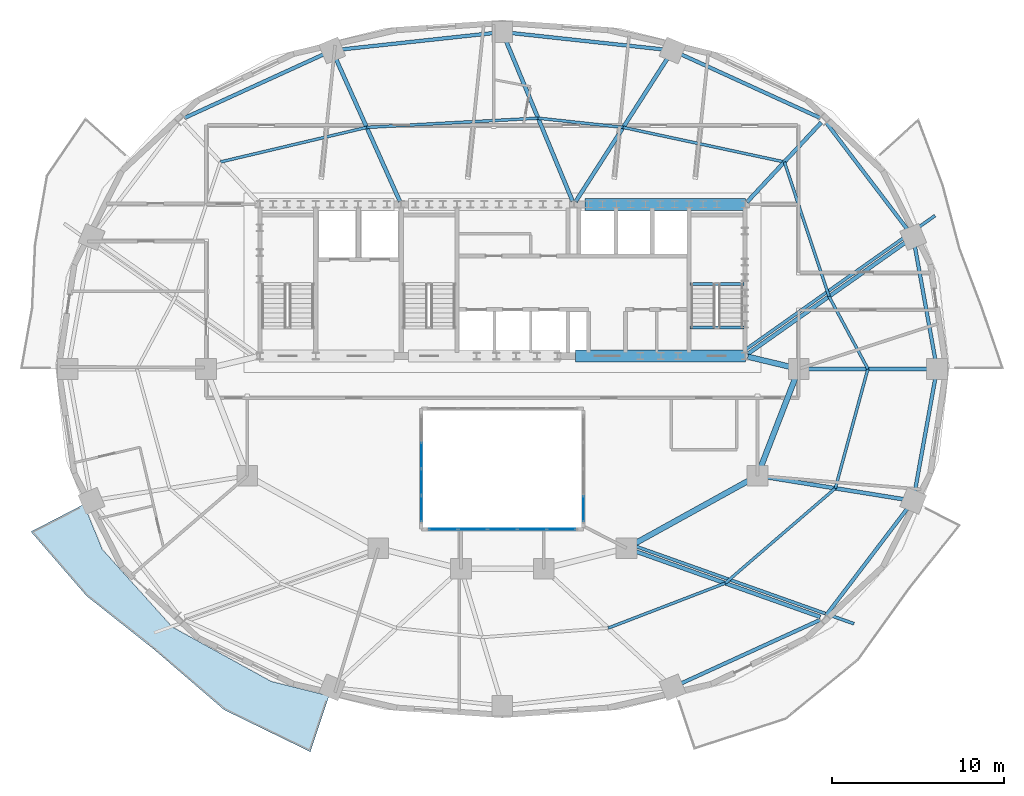
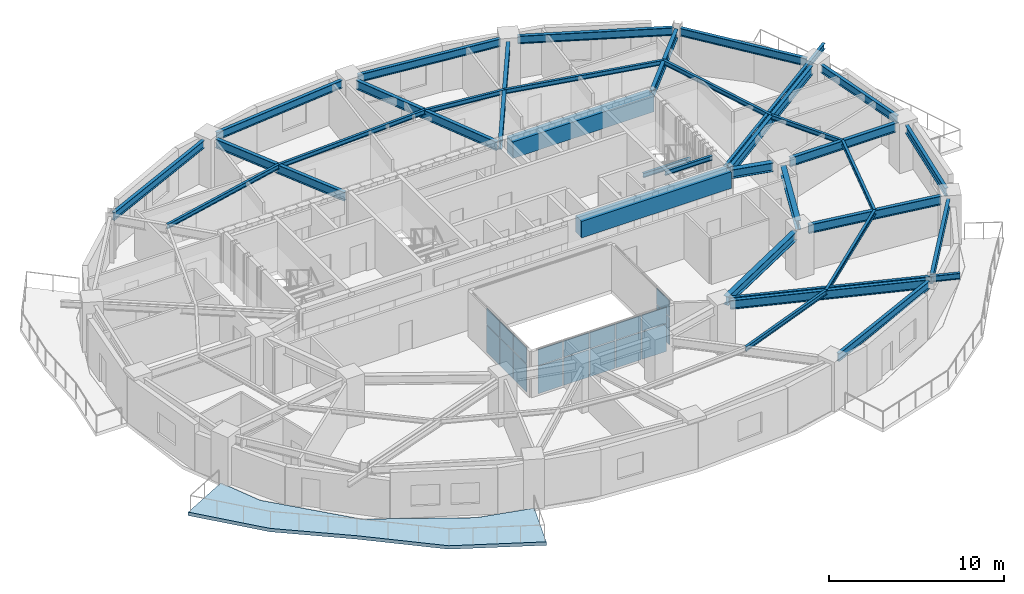
# One storey, part 4 of 13: 35 beams, 18 plates, 1 slab, 3 elements without a shape of their own.
"""IFC4 building model written with IfcOpenShell, lengths in metres."""

from ifc_helpers import new_model, si_unit, direction, frame, origin, origin_2d, place, context, subcontext, project, spatial, polyline, rectangle, i_section, outline, extrude, material, layer, layer_set, material_profile, profile_set, type_object, element, aggregate, save


model = new_model("IFC4")

# Units and contexts
model_context = context("Model", 3, precision=1e-05, world=origin(), true_north=direction((0.0, 1.0)))
body_context = subcontext(model_context, "Body", "Model", "MODEL_VIEW")
ifc_project = project(units=[si_unit("LENGTHUNIT", "METRE"), si_unit("AREAUNIT", "SQUARE_METRE"), si_unit("VOLUMEUNIT", "CUBIC_METRE"), si_unit("PLANEANGLEUNIT", "RADIAN"), si_unit("MASSUNIT", "GRAM", prefix="KILO")], contexts=[model_context])

# Site, building, storey
site_placement = place(None, origin())
site = spatial("IfcSite", under=ifc_project, at=site_placement, CompositionType="ELEMENT")
building_placement = place(site_placement, origin())
building = spatial("IfcBuilding", under=site, at=building_placement, Name="Haldorwick Loom Tower", CompositionType="ELEMENT")
storey_placement = place(building_placement, frame((0.0, 0.0, 175.14990234375)))
storey = spatial("IfcBuildingStorey", under=building, at=storey_placement, Name="L47", CompositionType="ELEMENT", Elevation=175.14990234375)

# Beams
ifc_material_1 = material(Name="Steel CSA G40.21 350W", Category="steel")
ifc_material_profile_1 = material_profile(ifc_material_1, i_section(OverallWidth=0.179931640625, OverallDepth=0.4130859375, WebThickness=0.009765625, FlangeThickness=0.01611328125, at=origin_2d()), Name="W410X74", Category="steel")
ifc_profile_set_1 = profile_set([ifc_material_profile_1], Name="Steel CSA G40.21 350W")
beam_type_1 = type_object("IfcBeamType", Name="STR-BM-BAL410", PredefinedType="BEAM", material=ifc_profile_set_1)
beam_1_placement = place(storey_placement, frame((43.78369140625, 15.68994140625, 3.003662109375), z_axis=(0.942447955832, -0.334352883266, 0.0), x_axis=(0.334352883266, 0.942447955832, 0.0)))
element("IfcBeam", 1, at=beam_1_placement, inside=storey, type_object=beam_type_1, Name="L47 Continuous Back-Spanned Balcony Beam 1", PredefinedType="BEAM", context=body_context, shape_type="SweptSolid", body=[
    extrude(i_section(OverallWidth=0.179931640625, OverallDepth=0.4130859375, WebThickness=0.009765625, FlangeThickness=0.01611328125, at=origin_2d()), origin(), (0.0, 0.0, 1.0), 13.385009765625),
])
beam_2_placement = place(storey_placement, frame((50.0537109375, 27.081298828125, 3.003662109375), z_axis=(0.816570167076, 0.57724618859, 0.0), x_axis=(-0.57724618859, 0.816570167076, 0.0)))
element("IfcBeam", 2, at=beam_2_placement, inside=storey, type_object=beam_type_1, Name="L47 Continuous Back-Spanned Balcony Beam 4", PredefinedType="BEAM", context=body_context, shape_type="SweptSolid", body=[
    extrude(i_section(OverallWidth=0.179931640625, OverallDepth=0.4130859375, WebThickness=0.009765625, FlangeThickness=0.01611328125, at=origin_2d()), origin(), (0.0, 0.0, 1.0), 13.531982421875),
])
ifc_material_2 = material(Name="Concrete C60 (60 MPa)", Category="concrete")
ifc_material_profile_2 = material_profile(ifc_material_2, rectangle(XDim=0.699951171875, YDim=1.14990234375, at=origin_2d()), Name="RC700X1150", Category="concrete")
ifc_profile_set_2 = profile_set([ifc_material_profile_2], Name="Concrete C60 (60 MPa)")
beam_type_2 = type_object("IfcBeamType", Name="STR-BM-CB1150", PredefinedType="LINTEL", material=ifc_profile_set_2)
beam_3_placement = place(storey_placement, frame((40.800048828125, 35.550048828125, 2.635009765625), z_axis=(1.0, 0.0, 0.0), x_axis=(0.0, 1.0, 0.0)))
element("IfcBeam", 3, at=beam_3_placement, inside=storey, type_object=beam_type_2, Name="L47 Core Coupling Beam CB-N3", PredefinedType="LINTEL", context=body_context, shape_type="SweptSolid", body=[
    extrude(rectangle(XDim=0.699951171875, YDim=1.14990234375, at=origin_2d()), origin(), (0.0, 0.0, 1.0), 9.300048828125),
])
beam_4_placement = place(storey_placement, frame((40.25, 26.75, 2.635009765625), z_axis=(1.0, 0.0, 0.0), x_axis=(0.0, 1.0, 0.0)))
element("IfcBeam", 4, at=beam_4_placement, inside=storey, type_object=beam_type_2, Name="L47 Core Coupling Beam CB-S3", PredefinedType="LINTEL", context=body_context, shape_type="SweptSolid", body=[
    extrude(rectangle(XDim=0.699951171875, YDim=1.14990234375, at=origin_2d()), origin(), (0.0, 0.0, 1.0), 9.85009765625),
])
ifc_material_profile_3 = material_profile(ifc_material_1, i_section(OverallWidth=0.166015625, OverallDepth=0.31298828125, WebThickness=0.006591796875, FlangeThickness=0.01123046875, at=origin_2d()), Name="W310X45", Category="steel")
ifc_profile_set_3 = profile_set([ifc_material_profile_3], Name="Steel CSA G40.21 350W")
beam_type_3 = type_object("IfcBeamType", Name="STR-BM-J310", PredefinedType="JOIST", material=ifc_profile_set_3)
beam_5_placement = place(storey_placement, frame((57.20849609375, 26.0, 3.0537109375), z_axis=(-0.472930162238, 0.881099915813, 0.0), x_axis=(-0.881099915813, -0.472930162238, 0.0)))
element("IfcBeam", 5, at=beam_5_placement, inside=storey, type_object=beam_type_3, Name="L47 Mid-Bay Secondary Joist 1", PredefinedType="JOIST", context=body_context, shape_type="SweptSolid", body=[
    extrude(i_section(OverallWidth=0.166015625, OverallDepth=0.31298828125, WebThickness=0.006591796875, FlangeThickness=0.01123046875, at=origin_2d()), origin(), (0.0, 0.0, 1.0), 4.76904296875),
])
beam_6_placement = place(storey_placement, frame((54.953125, 30.201904296875, 3.0537109375), z_axis=(-0.314980632705, 0.949098098734, 0.0), x_axis=(-0.949098098734, -0.314980632705, 0.0)))
element("IfcBeam", 6, at=beam_6_placement, inside=storey, type_object=beam_type_3, Name="L47 Mid-Bay Secondary Joist 2", PredefinedType="JOIST", context=body_context, shape_type="SweptSolid", body=[
    extrude(i_section(OverallWidth=0.166015625, OverallDepth=0.31298828125, WebThickness=0.006591796875, FlangeThickness=0.01123046875, at=origin_2d()), origin(), (0.0, 0.0, 1.0), 8.223876953125),
])
beam_7_placement = place(storey_placement, frame((52.36279296875, 38.007080078125, 3.0537109375), z_axis=(-0.977737366421, 0.209832414808, 0.0), x_axis=(-0.209832414808, -0.977737366421, 0.0)))
element("IfcBeam", 7, at=beam_7_placement, inside=storey, type_object=beam_type_3, Name="L47 Mid-Bay Secondary Joist 3", PredefinedType="JOIST", context=body_context, shape_type="SweptSolid", body=[
    extrude(i_section(OverallWidth=0.166015625, OverallDepth=0.31298828125, WebThickness=0.006591796875, FlangeThickness=0.01123046875, at=origin_2d()), origin(), (0.0, 0.0, 1.0), 9.56396484375),
])
beam_8_placement = place(storey_placement, frame((43.01171875, 40.013916015625, 3.0537109375), z_axis=(-0.994212584227, 0.107430616514, 0.0), x_axis=(-0.107430616514, -0.994212584227, 0.0)))
element("IfcBeam", 8, at=beam_8_placement, inside=storey, type_object=beam_type_3, Name="L47 Mid-Bay Secondary Joist 4", PredefinedType="JOIST", context=body_context, shape_type="SweptSolid", body=[
    extrude(i_section(OverallWidth=0.166015625, OverallDepth=0.31298828125, WebThickness=0.006591796875, FlangeThickness=0.01123046875, at=origin_2d()), origin(), (0.0, 0.0, 1.0), 4.965576171875),
])
beam_9_placement = place(storey_placement, frame((38.074951171875, 40.54736328125, 3.0537109375), z_axis=(-0.998564927415, -0.053554511828, 0.0), x_axis=(0.053554511828, -0.998564927415, 0.0)))
element("IfcBeam", 9, at=beam_9_placement, inside=storey, type_object=beam_type_3, Name="L47 Mid-Bay Secondary Joist 5", PredefinedType="JOIST", context=body_context, shape_type="SweptSolid", body=[
    extrude(i_section(OverallWidth=0.166015625, OverallDepth=0.31298828125, WebThickness=0.006591796875, FlangeThickness=0.01123046875, at=origin_2d()), origin(), (0.0, 0.0, 1.0), 9.9609375),
])
beam_10_placement = place(storey_placement, frame((28.12841796875, 40.013916015625, 3.0537109375), z_axis=(-0.973189168086, -0.230006180612, 0.0), x_axis=(0.230006180612, -0.973189168086, 0.0)))
element("IfcBeam", 10, at=beam_10_placement, inside=storey, type_object=beam_type_3, Name="L47 Mid-Bay Secondary Joist 6", PredefinedType="JOIST", context=body_context, shape_type="SweptSolid", body=[
    extrude(i_section(OverallWidth=0.166015625, OverallDepth=0.31298828125, WebThickness=0.006591796875, FlangeThickness=0.01123046875, at=origin_2d()), origin(), (0.0, 0.0, 1.0), 8.72509765625),
])
beam_11_placement = place(storey_placement, frame((42.13671875, 10.961181640625, 3.0537109375), z_axis=(0.933586737031, 0.358351509609, 0.0), x_axis=(-0.358351509609, 0.933586737031, 0.0)))
element("IfcBeam", 11, at=beam_11_placement, inside=storey, type_object=beam_type_3, Name="L47 Mid-Bay Secondary Joist 14", PredefinedType="JOIST", context=body_context, shape_type="SweptSolid", body=[
    extrude(i_section(OverallWidth=0.166015625, OverallDepth=0.31298828125, WebThickness=0.006591796875, FlangeThickness=0.01123046875, at=origin_2d()), origin(), (0.0, 0.0, 1.0), 7.274169921875),
])
beam_12_placement = place(storey_placement, frame((48.927734375, 13.56787109375, 3.0537109375), z_axis=(0.75763401328, 0.652679631918, 0.0), x_axis=(-0.652679631918, 0.75763401328, 0.0)))
element("IfcBeam", 12, at=beam_12_placement, inside=storey, type_object=beam_type_3, Name="L47 Mid-Bay Secondary Joist 15", PredefinedType="JOIST", context=body_context, shape_type="SweptSolid", body=[
    extrude(i_section(OverallWidth=0.166015625, OverallDepth=0.31298828125, WebThickness=0.006591796875, FlangeThickness=0.01123046875, at=origin_2d()), origin(), (0.0, 0.0, 1.0), 8.4345703125),
])
beam_13_placement = place(storey_placement, frame((55.318115234375, 19.072998046875, 3.0537109375), z_axis=(0.263272762578, 0.964721437766, 0.0), x_axis=(-0.964721437766, 0.263272762578, 0.0)))
element("IfcBeam", 13, at=beam_13_placement, inside=storey, type_object=beam_type_3, Name="L47 Mid-Bay Secondary Joist 16", PredefinedType="JOIST", context=body_context, shape_type="SweptSolid", body=[
    extrude(i_section(OverallWidth=0.166015625, OverallDepth=0.31298828125, WebThickness=0.006591796875, FlangeThickness=0.01123046875, at=origin_2d()), origin(), (0.0, 0.0, 1.0), 7.180419921875),
])
ifc_material_profile_4 = material_profile(ifc_material_1, i_section(OverallWidth=0.2119140625, OverallDepth=0.5439453125, WebThickness=0.01318359375, FlangeThickness=0.021240234375, at=origin_2d()), Name="W530X123", Category="steel")
ifc_profile_set_4 = profile_set([ifc_material_profile_4], Name="Steel CSA G40.21 350W")
beam_type_4 = type_object("IfcBeamType", Name="STR-BM-SP530", PredefinedType="SPANDREL", material=ifc_profile_set_4)
beam_14_placement = place(storey_placement, frame((61.124755859375, 26.51171875, 2.93798828125), z_axis=(-0.177558730702, 0.984110205796, 0.0), x_axis=(-0.984110205796, -0.177558730702, 0.0)))
element("IfcBeam", 14, at=beam_14_placement, inside=storey, type_object=beam_type_4, Name="L47 Perimeter Spandrel 1", PredefinedType="SPANDREL", context=body_context, shape_type="SweptSolid", body=[
    extrude(i_section(OverallWidth=0.2119140625, OverallDepth=0.5439453125, WebThickness=0.01318359375, FlangeThickness=0.021240234375, at=origin_2d()), origin(), (0.0, 0.0, 1.0), 6.737548828125),
])
beam_15_placement = place(storey_placement, frame((59.521240234375, 34.067626953125, 2.93798828125), z_axis=(-0.605421569293, 0.79590497136, 0.0), x_axis=(-0.79590497136, -0.605421569293, 0.0)))
element("IfcBeam", 15, at=beam_15_placement, inside=storey, type_object=beam_type_4, Name="L47 Perimeter Spandrel 2", PredefinedType="SPANDREL", context=body_context, shape_type="SweptSolid", body=[
    extrude(i_section(OverallWidth=0.2119140625, OverallDepth=0.5439453125, WebThickness=0.01318359375, FlangeThickness=0.021240234375, at=origin_2d()), origin(), (0.0, 0.0, 1.0), 7.81201171875),
])
beam_16_placement = place(storey_placement, frame((54.450927734375, 40.5576171875, 2.93798828125), z_axis=(-0.909523899848, 0.415651627695, 0.0), x_axis=(-0.415651627695, -0.909523899848, 0.0)))
element("IfcBeam", 16, at=beam_16_placement, inside=storey, type_object=beam_type_4, Name="L47 Perimeter Spandrel 3", PredefinedType="SPANDREL", context=body_context, shape_type="SweptSolid", body=[
    extrude(i_section(OverallWidth=0.2119140625, OverallDepth=0.5439453125, WebThickness=0.01318359375, FlangeThickness=0.021240234375, at=origin_2d()), origin(), (0.0, 0.0, 1.0), 8.910888671875),
])
for number, where, z_axis, x_axis, name in (
    (17, (45.356201171875, 44.533447265625, 2.93798828125), (-0.994210140187, 0.107453232386, 0.0), (-0.107453232386, -0.994210140187, 0.0), "L47 Perimeter Spandrel 4"),
    (18, (35.48291015625, 45.48876953125, 2.93798828125), (-0.994210140187, -0.107453232386, 0.0), (0.107453232386, -0.994210140187, 0.0), "L47 Perimeter Spandrel 5"),
):
    element("IfcBeam", number, at=place(storey_placement, frame(where, z_axis=z_axis, x_axis=x_axis)), inside=storey, type_object=beam_type_4, Name=name, PredefinedType="SPANDREL", context=body_context, shape_type="SweptSolid", body=[
        extrude(i_section(OverallWidth=0.2119140625, OverallDepth=0.5439453125, WebThickness=0.01318359375, FlangeThickness=0.021240234375, at=origin_2d()), origin(), (0.0, 0.0, 1.0), 8.890625),
    ])
for number, where, z_axis, x_axis, name in (
    (19, (25.65380859375, 44.261474609375, 2.93798828125), (-0.909523899848, -0.415651627695, 0.0), (0.415651627695, -0.909523899848, 0.0), "L47 Perimeter Spandrel 6"),
    (20, (46.34619140625, 7.738525390625, 2.93798828125), (0.909523899848, 0.415651627695, 0.0), (-0.415651627695, 0.909523899848, 0.0), "L47 Perimeter Spandrel 14"),
):
    element("IfcBeam", number, at=place(storey_placement, frame(where, z_axis=z_axis, x_axis=x_axis)), inside=storey, type_object=beam_type_4, Name=name, PredefinedType="SPANDREL", context=body_context, shape_type="SweptSolid", body=[
        extrude(i_section(OverallWidth=0.2119140625, OverallDepth=0.5439453125, WebThickness=0.01318359375, FlangeThickness=0.021240234375, at=origin_2d()), origin(), (0.0, 0.0, 1.0), 8.910888671875),
    ])
beam_17_placement = place(storey_placement, frame((54.791748046875, 11.71484375, 2.93798828125), z_axis=(0.605421569293, 0.79590497136, 0.0), x_axis=(-0.79590497136, 0.605421569293, 0.0)))
element("IfcBeam", 21, at=beam_17_placement, inside=storey, type_object=beam_type_4, Name="L47 Perimeter Spandrel 15", PredefinedType="SPANDREL", context=body_context, shape_type="SweptSolid", body=[
    extrude(i_section(OverallWidth=0.2119140625, OverallDepth=0.5439453125, WebThickness=0.01318359375, FlangeThickness=0.021240234375, at=origin_2d()), origin(), (0.0, 0.0, 1.0), 7.81201171875),
])
beam_18_placement = place(storey_placement, frame((59.928466796875, 18.85791015625, 2.93798828125), z_axis=(0.177558730702, 0.984110205796, 0.0), x_axis=(-0.984110205796, 0.177558730702, 0.0)))
element("IfcBeam", 22, at=beam_18_placement, inside=storey, type_object=beam_type_4, Name="L47 Perimeter Spandrel 16", PredefinedType="SPANDREL", context=body_context, shape_type="SweptSolid", body=[
    extrude(i_section(OverallWidth=0.2119140625, OverallDepth=0.5439453125, WebThickness=0.01318359375, FlangeThickness=0.021240234375, at=origin_2d()), origin(), (0.0, 0.0, 1.0), 6.737548828125),
])
ifc_material_profile_5 = material_profile(ifc_material_1, i_section(OverallWidth=0.166015625, OverallDepth=0.31298828125, WebThickness=0.006591796875, FlangeThickness=0.01123046875, at=origin_2d()), Name="W310X45", Category="steel")
ifc_profile_set_5 = profile_set([ifc_material_profile_5], Name="Steel CSA G40.21 350W")
beam_type_5 = type_object("IfcBeamType", Name="STR-BM-STRM", PredefinedType="BEAM", material=ifc_profile_set_5)
for number, where, z_axis, x_axis, name in (
    (23, (46.889892578125, 28.39990234375, 3.0537109375), (1.0, 0.0, 0.0), (0.0, 1.0, 0.0), "L47 Stair ST-02 Landing Edge Trimmer"),
    (24, (46.889892578125, 30.919921875, 1.36865234375), (1.0, 0.0, 0.0), (0.0, 1.0, 0.0), "L47 Stair ST-02 Half-Landing Trimmer 1"),
):
    element("IfcBeam", number, at=place(storey_placement, frame(where, z_axis=z_axis, x_axis=x_axis)), inside=storey, type_object=beam_type_5, Name=name, PredefinedType="BEAM", context=body_context, shape_type="SweptSolid", body=[
        extrude(i_section(OverallWidth=0.166015625, OverallDepth=0.31298828125, WebThickness=0.006591796875, FlangeThickness=0.01123046875, at=origin_2d()), origin(), (0.0, 0.0, 1.0), 3.1201171875),
    ])
ifc_material_profile_6 = material_profile(ifc_material_1, i_section(OverallWidth=0.324951171875, OverallDepth=0.615966796875, WebThickness=0.013916015625, FlangeThickness=0.021484375, at=origin_2d()), Name="W610X174", Category="steel")
ifc_profile_set_6 = profile_set([ifc_material_profile_6], Name="Steel CSA G40.21 350W")
beam_type_6 = type_object("IfcBeamType", Name="STR-BM-W610A", PredefinedType="BEAM", material=ifc_profile_set_6)
beam_19_placement = place(storey_placement, frame((50.2431640625, 26.70849609375, 2.902099609375), z_axis=(0.97246637463, -0.233043236789, 0.0), x_axis=(0.233043236789, 0.97246637463, 0.0)))
element("IfcBeam", 25, at=beam_19_placement, inside=storey, type_object=beam_type_6, Name="L47 Inner Ring Girder 1", PredefinedType="BEAM", context=body_context, shape_type="SweptSolid", body=[
    extrude(i_section(OverallWidth=0.324951171875, OverallDepth=0.615966796875, WebThickness=0.013916015625, FlangeThickness=0.021484375, at=origin_2d()), origin(), (0.0, 0.0, 1.0), 2.5205078125),
])
beam_20_placement = place(storey_placement, frame((53.01220703125, 25.51513671875, 2.902099609375), z_axis=(-0.360964792353, -0.93257944363, 0.0), x_axis=(0.93257944363, -0.360964792353, 0.0)))
element("IfcBeam", 26, at=beam_20_placement, inside=storey, type_object=beam_type_6, Name="L47 Inner Ring Girder 2", PredefinedType="BEAM", context=body_context, shape_type="SweptSolid", body=[
    extrude(i_section(OverallWidth=0.324951171875, OverallDepth=0.615966796875, WebThickness=0.013916015625, FlangeThickness=0.021484375, at=origin_2d()), origin(), (0.0, 0.0, 1.0), 5.6083984375),
])
beam_21_placement = place(storey_placement, frame((50.344970703125, 19.548583984375, 2.902099609375), z_axis=(-0.875244382146, -0.483680960471, 0.0), x_axis=(0.483680960471, -0.875244382146, 0.0)))
element("IfcBeam", 27, at=beam_21_placement, inside=storey, type_object=beam_type_6, Name="L47 Inner Ring Girder 3", PredefinedType="BEAM", context=body_context, shape_type="SweptSolid", body=[
    extrude(i_section(OverallWidth=0.324951171875, OverallDepth=0.615966796875, WebThickness=0.013916015625, FlangeThickness=0.021484375, at=origin_2d()), origin(), (0.0, 0.0, 1.0), 7.6435546875),
])
ifc_material_profile_7 = material_profile(ifc_material_1, i_section(OverallWidth=0.22998046875, OverallDepth=0.616943359375, WebThickness=0.01318359375, FlangeThickness=0.022216796875, at=origin_2d()), Name="W610X140", Category="steel")
ifc_profile_set_7 = profile_set([ifc_material_profile_7], Name="Steel CSA G40.21 350W")
beam_type_7 = type_object("IfcBeamType", Name="STR-BM-W610B", PredefinedType="BEAM", material=ifc_profile_set_7)
beam_22_placement = place(storey_placement, frame((53.719970703125, 26.0, 2.901611328125), z_axis=(1.0, 0.0, 0.0), x_axis=(0.0, 1.0, 0.0)))
element("IfcBeam", 28, at=beam_22_placement, inside=storey, type_object=beam_type_7, Name="L47 Radial Floor Girder 1", PredefinedType="BEAM", context=body_context, shape_type="SweptSolid", body=[
    extrude(i_section(OverallWidth=0.22998046875, OverallDepth=0.616943359375, WebThickness=0.01318359375, FlangeThickness=0.022216796875, at=origin_2d()), origin(), (0.0, 0.0, 1.0), 6.97705078125),
])
beam_23_placement = place(storey_placement, frame((50.21533203125, 26.852783203125, 2.901611328125), z_axis=(0.816581374163, 0.577230334763, 0.0), x_axis=(-0.577230334763, 0.816581374163, 0.0)))
element("IfcBeam", 29, at=beam_23_placement, inside=storey, type_object=beam_type_7, Name="L47 Radial Floor Girder 2", PredefinedType="BEAM", context=body_context, shape_type="SweptSolid", body=[
    extrude(i_section(OverallWidth=0.22998046875, OverallDepth=0.616943359375, WebThickness=0.01318359375, FlangeThickness=0.022216796875, at=origin_2d()), origin(), (0.0, 0.0, 1.0), 11.261962890625),
])
beam_24_placement = place(storey_placement, frame((50.19140625, 35.68017578125, 2.901611328125), z_axis=(0.682245282958, 0.731123364339, 0.0), x_axis=(-0.731123364339, 0.682245282958, 0.0)))
element("IfcBeam", 30, at=beam_24_placement, inside=storey, type_object=beam_type_7, Name="L47 Radial Floor Girder 3", PredefinedType="BEAM", context=body_context, shape_type="SweptSolid", body=[
    extrude(i_section(OverallWidth=0.22998046875, OverallDepth=0.616943359375, WebThickness=0.01318359375, FlangeThickness=0.022216796875, at=origin_2d()), origin(), (0.0, 0.0, 1.0), 6.318603515625),
])
beam_25_placement = place(storey_placement, frame((40.24609375, 35.699951171875, 2.901611328125), z_axis=(0.539693434869, 0.841861625423, 0.0), x_axis=(-0.841861625423, 0.539693434869, 0.0)))
element("IfcBeam", 31, at=beam_25_placement, inside=storey, type_object=beam_type_7, Name="L47 Radial Floor Girder 4", PredefinedType="BEAM", context=body_context, shape_type="SweptSolid", body=[
    extrude(i_section(OverallWidth=0.22998046875, OverallDepth=0.616943359375, WebThickness=0.01318359375, FlangeThickness=0.022216796875, at=origin_2d()), origin(), (0.0, 0.0, 1.0), 9.906494140625),
])
beam_26_placement = place(storey_placement, frame((40.081787109375, 35.71435546875, 2.901611328125), z_axis=(-0.383474700215, 0.923551381513, 0.0), x_axis=(-0.923551381513, -0.383474700215, 0.0)))
element("IfcBeam", 32, at=beam_26_placement, inside=storey, type_object=beam_type_7, Name="L47 Radial Floor Girder 5", PredefinedType="BEAM", context=body_context, shape_type="SweptSolid", body=[
    extrude(i_section(OverallWidth=0.22998046875, OverallDepth=0.616943359375, WebThickness=0.01318359375, FlangeThickness=0.022216796875, at=origin_2d()), origin(), (0.0, 0.0, 1.0), 10.1240234375),
])
beam_27_placement = place(storey_placement, frame((30.05712890625, 35.71240234375, 2.901611328125), z_axis=(-0.409145396953, 0.912469201755, 0.0), x_axis=(-0.912469201755, -0.409145396953, 0.0)))
element("IfcBeam", 33, at=beam_27_placement, inside=storey, type_object=beam_type_7, Name="L47 Radial Floor Girder 6", PredefinedType="BEAM", context=body_context, shape_type="SweptSolid", body=[
    extrude(i_section(OverallWidth=0.22998046875, OverallDepth=0.616943359375, WebThickness=0.01318359375, FlangeThickness=0.022216796875, at=origin_2d()), origin(), (0.0, 0.0, 1.0), 9.086181640625),
])
beam_28_placement = place(storey_placement, frame((43.690185546875, 15.426025390625, 2.901611328125), z_axis=(0.942449496381, -0.334348540854, 0.0), x_axis=(0.334348540854, 0.942449496381, 0.0)))
element("IfcBeam", 34, at=beam_28_placement, inside=storey, type_object=beam_type_7, Name="L47 Radial Floor Girder 15", PredefinedType="BEAM", context=body_context, shape_type="SweptSolid", body=[
    extrude(i_section(OverallWidth=0.22998046875, OverallDepth=0.616943359375, WebThickness=0.01318359375, FlangeThickness=0.022216796875, at=origin_2d()), origin(), (0.0, 0.0, 1.0), 11.41015625),
])
beam_29_placement = place(storey_placement, frame((51.3134765625, 19.71728515625, 2.901611328125), z_axis=(0.987308639475, -0.158813256432, 0.0), x_axis=(0.158813256432, 0.987308639475, 0.0)))
element("IfcBeam", 35, at=beam_29_placement, inside=storey, type_object=beam_type_7, Name="L47 Radial Floor Girder 16", PredefinedType="BEAM", context=body_context, shape_type="SweptSolid", body=[
    extrude(i_section(OverallWidth=0.22998046875, OverallDepth=0.616943359375, WebThickness=0.01318359375, FlangeThickness=0.022216796875, at=origin_2d()), origin(), (0.0, 0.0, 1.0), 8.1123046875),
])

# Curtain wall, plates
ifc_material_3 = material(Name="Thermally Broken Anodized Aluminium Curtain Wall Framing", Category="aluminium")
curtain_wall_type = type_object("IfcCurtainWallType", Name="ARC-CW-03", PredefinedType="NOTDEFINED", material=ifc_material_3)
curtain_wall_1_placement = place(storey_placement, origin())
curtain_wall_1 = element("IfcCurtainWall", 36, at=curtain_wall_1_placement, inside=storey, type_object=curtain_wall_type, Name="L47 Atrium Glazed Screen S", PredefinedType="NOTDEFINED")
ifc_material_4 = material(Name="Triple-Glazed Low-E Argon Insulated Glazing Unit", Category="glass")
ifc_layer_1 = layer(ifc_material_4, 0.04296875, Name="Triple-Glazed Low-E Argon Insulated Glazing Unit", Category="glass")
ifc_layer_set_1 = layer_set([ifc_layer_1], Name="Triple-Glazed Low-E Argon Insulated Glazing Unit")
plate_type = type_object("IfcPlateType", Name="ARC-CWP-03", PredefinedType="CURTAIN_PANEL", material=ifc_layer_set_1)
plate_1_placement = place(storey_placement, frame((39.423583984375, 16.699951171875, 0.066162109375), z_axis=(0.0, 0.0, 1.0), x_axis=(-1.0, 0.0, 0.0)))
plate_1 = element("IfcPlate", 37, at=plate_1_placement, type_object=plate_type, Name="CW-03 panel 1.1", PredefinedType="CURTAIN_PANEL", context=body_context, shape_type="SweptSolid", body=[
    extrude(rectangle(XDim=1.62109375, YDim=0.04296875, at=origin_2d()), origin(), (0.0, 0.0, 1.0), 1.90087890625),
])
plate_2_placement = place(storey_placement, frame((39.423583984375, 16.699951171875, 2.033203125), z_axis=(0.0, 0.0, 1.0), x_axis=(-1.0, 0.0, 0.0)))
plate_2 = element("IfcPlate", 38, at=plate_2_placement, type_object=plate_type, Name="CW-03 panel 1.2", PredefinedType="CURTAIN_PANEL", context=body_context, shape_type="SweptSolid", body=[
    extrude(rectangle(XDim=1.62109375, YDim=0.04296875, at=origin_2d()), origin(), (0.0, 0.0, 1.0), 1.111083984375),
])
plate_3_placement = place(storey_placement, frame((37.719970703125, 16.699951171875, 0.066162109375), z_axis=(0.0, 0.0, 1.0), x_axis=(-1.0, 0.0, 0.0)))
plate_3 = element("IfcPlate", 39, at=plate_3_placement, type_object=plate_type, Name="CW-03 panel 2.1", PredefinedType="CURTAIN_PANEL", context=body_context, shape_type="SweptSolid", body=[
    extrude(rectangle(XDim=1.654052734375, YDim=0.04296875, at=origin_2d()), origin(), (0.0, 0.0, 1.0), 1.90087890625),
])
plate_4_placement = place(storey_placement, frame((37.719970703125, 16.699951171875, 2.033203125), z_axis=(0.0, 0.0, 1.0), x_axis=(-1.0, 0.0, 0.0)))
plate_4 = element("IfcPlate", 40, at=plate_4_placement, type_object=plate_type, Name="CW-03 panel 2.2", PredefinedType="CURTAIN_PANEL", context=body_context, shape_type="SweptSolid", body=[
    extrude(rectangle(XDim=1.654052734375, YDim=0.04296875, at=origin_2d()), origin(), (0.0, 0.0, 1.0), 1.111083984375),
])
plate_5_placement = place(storey_placement, frame((36.0, 16.699951171875, 0.066162109375), z_axis=(0.0, 0.0, 1.0), x_axis=(-1.0, 0.0, 0.0)))
plate_5 = element("IfcPlate", 41, at=plate_5_placement, type_object=plate_type, Name="CW-03 panel 3.1", PredefinedType="CURTAIN_PANEL", context=body_context, shape_type="SweptSolid", body=[
    extrude(rectangle(XDim=1.654052734375, YDim=0.04296875, at=origin_2d()), origin(), (0.0, 0.0, 1.0), 1.90087890625),
])
plate_6_placement = place(storey_placement, frame((36.0, 16.699951171875, 2.033203125), z_axis=(0.0, 0.0, 1.0), x_axis=(-1.0, 0.0, 0.0)))
plate_6 = element("IfcPlate", 42, at=plate_6_placement, type_object=plate_type, Name="CW-03 panel 3.2", PredefinedType="CURTAIN_PANEL", context=body_context, shape_type="SweptSolid", body=[
    extrude(rectangle(XDim=1.654052734375, YDim=0.04296875, at=origin_2d()), origin(), (0.0, 0.0, 1.0), 1.111083984375),
])
plate_7_placement = place(storey_placement, frame((34.280029296875, 16.699951171875, 0.066162109375), z_axis=(0.0, 0.0, 1.0), x_axis=(-1.0, 0.0, 0.0)))
plate_7 = element("IfcPlate", 43, at=plate_7_placement, type_object=plate_type, Name="CW-03 panel 4.1", PredefinedType="CURTAIN_PANEL", context=body_context, shape_type="SweptSolid", body=[
    extrude(rectangle(XDim=1.654052734375, YDim=0.04296875, at=origin_2d()), origin(), (0.0, 0.0, 1.0), 1.90087890625),
])
plate_8_placement = place(storey_placement, frame((34.280029296875, 16.699951171875, 2.033203125), z_axis=(0.0, 0.0, 1.0), x_axis=(-1.0, 0.0, 0.0)))
plate_8 = element("IfcPlate", 44, at=plate_8_placement, type_object=plate_type, Name="CW-03 panel 4.2", PredefinedType="CURTAIN_PANEL", context=body_context, shape_type="SweptSolid", body=[
    extrude(rectangle(XDim=1.654052734375, YDim=0.04296875, at=origin_2d()), origin(), (0.0, 0.0, 1.0), 1.111083984375),
])
plate_9_placement = place(storey_placement, frame((32.576416015625, 16.699951171875, 0.066162109375), z_axis=(0.0, 0.0, 1.0), x_axis=(-1.0, 0.0, 0.0)))
plate_9 = element("IfcPlate", 45, at=plate_9_placement, type_object=plate_type, Name="CW-03 panel 5.1", PredefinedType="CURTAIN_PANEL", context=body_context, shape_type="SweptSolid", body=[
    extrude(rectangle(XDim=1.62109375, YDim=0.04296875, at=origin_2d()), origin(), (0.0, 0.0, 1.0), 1.90087890625),
])
plate_10_placement = place(storey_placement, frame((32.576416015625, 16.699951171875, 2.033203125), z_axis=(0.0, 0.0, 1.0), x_axis=(-1.0, 0.0, 0.0)))
plate_10 = element("IfcPlate", 46, at=plate_10_placement, type_object=plate_type, Name="CW-03 panel 5.2", PredefinedType="CURTAIN_PANEL", context=body_context, shape_type="SweptSolid", body=[
    extrude(rectangle(XDim=1.62109375, YDim=0.04296875, at=origin_2d()), origin(), (0.0, 0.0, 1.0), 1.111083984375),
])
aggregate(curtain_wall_1, [plate_1, plate_2, plate_3, plate_4, plate_5, plate_6, plate_7, plate_8, plate_9, plate_10])

curtain_wall_2_placement = place(storey_placement, origin())
curtain_wall_2 = element("IfcCurtainWall", 47, at=curtain_wall_2_placement, inside=storey, type_object=curtain_wall_type, Name="L47 Atrium Glazed Screen W", PredefinedType="NOTDEFINED")
plate_11_placement = place(storey_placement, frame((31.300048828125, 17.8916015625, 0.066162109375), z_axis=(0.0, 0.0, 1.0), x_axis=(0.0, 1.0, 0.0)))
plate_11 = element("IfcPlate", 48, at=plate_11_placement, type_object=plate_type, Name="CW-03 panel 1.1", PredefinedType="CURTAIN_PANEL", context=body_context, shape_type="SweptSolid", body=[
    extrude(rectangle(XDim=1.450927734375, YDim=0.04296875, at=origin_2d()), origin(), (0.0, 0.0, 1.0), 1.90087890625),
])
plate_12_placement = place(storey_placement, frame((31.300048828125, 17.8916015625, 2.033203125), z_axis=(0.0, 0.0, 1.0), x_axis=(0.0, 1.0, 0.0)))
plate_12 = element("IfcPlate", 49, at=plate_12_placement, type_object=plate_type, Name="CW-03 panel 1.2", PredefinedType="CURTAIN_PANEL", context=body_context, shape_type="SweptSolid", body=[
    extrude(rectangle(XDim=1.450927734375, YDim=0.04296875, at=origin_2d()), origin(), (0.0, 0.0, 1.0), 1.111083984375),
])
plate_13_placement = place(storey_placement, frame((31.300048828125, 19.425048828125, 0.066162109375), z_axis=(0.0, 0.0, 1.0), x_axis=(0.0, 1.0, 0.0)))
plate_13 = element("IfcPlate", 50, at=plate_13_placement, type_object=plate_type, Name="CW-03 panel 2.1", PredefinedType="CURTAIN_PANEL", context=body_context, shape_type="SweptSolid", body=[
    extrude(rectangle(XDim=1.48388671875, YDim=0.04296875, at=origin_2d()), origin(), (0.0, 0.0, 1.0), 1.90087890625),
])
plate_14_placement = place(storey_placement, frame((31.300048828125, 19.425048828125, 2.033203125), z_axis=(0.0, 0.0, 1.0), x_axis=(0.0, 1.0, 0.0)))
plate_14 = element("IfcPlate", 51, at=plate_14_placement, type_object=plate_type, Name="CW-03 panel 2.2", PredefinedType="CURTAIN_PANEL", context=body_context, shape_type="SweptSolid", body=[
    extrude(rectangle(XDim=1.48388671875, YDim=0.04296875, at=origin_2d()), origin(), (0.0, 0.0, 1.0), 1.111083984375),
])
plate_15_placement = place(storey_placement, frame((31.300048828125, 20.97509765625, 0.066162109375), z_axis=(0.0, 0.0, 1.0), x_axis=(0.0, 1.0, 0.0)))
plate_15 = element("IfcPlate", 52, at=plate_15_placement, type_object=plate_type, Name="CW-03 panel 3.1", PredefinedType="CURTAIN_PANEL", context=body_context, shape_type="SweptSolid", body=[
    extrude(rectangle(XDim=1.48388671875, YDim=0.04296875, at=origin_2d()), origin(), (0.0, 0.0, 1.0), 1.90087890625),
])
plate_16_placement = place(storey_placement, frame((31.300048828125, 20.97509765625, 2.033203125), z_axis=(0.0, 0.0, 1.0), x_axis=(0.0, 1.0, 0.0)))
plate_16 = element("IfcPlate", 53, at=plate_16_placement, type_object=plate_type, Name="CW-03 panel 3.2", PredefinedType="CURTAIN_PANEL", context=body_context, shape_type="SweptSolid", body=[
    extrude(rectangle(XDim=1.48388671875, YDim=0.04296875, at=origin_2d()), origin(), (0.0, 0.0, 1.0), 1.111083984375),
])
aggregate(curtain_wall_2, [plate_11, plate_12, plate_13, plate_14, plate_15, plate_16])

curtain_wall_3_placement = place(storey_placement, origin())
curtain_wall_3 = element("IfcCurtainWall", 54, at=curtain_wall_3_placement, inside=storey, type_object=curtain_wall_type, Name="L47 Atrium Glazed Screen E", PredefinedType="NOTDEFINED")
plate_17_placement = place(storey_placement, frame((40.699951171875, 17.8916015625, 0.066162109375), z_axis=(0.0, 0.0, 1.0), x_axis=(0.0, -1.0, 0.0)))
plate_17 = element("IfcPlate", 55, at=plate_17_placement, type_object=plate_type, Name="CW-03 panel 4.1", PredefinedType="CURTAIN_PANEL", context=body_context, shape_type="SweptSolid", body=[
    extrude(rectangle(XDim=1.450927734375, YDim=0.04296875, at=origin_2d()), origin(), (0.0, 0.0, 1.0), 1.90087890625),
])
plate_18_placement = place(storey_placement, frame((40.699951171875, 17.8916015625, 2.033203125), z_axis=(0.0, 0.0, 1.0), x_axis=(0.0, -1.0, 0.0)))
plate_18 = element("IfcPlate", 56, at=plate_18_placement, type_object=plate_type, Name="CW-03 panel 4.2", PredefinedType="CURTAIN_PANEL", context=body_context, shape_type="SweptSolid", body=[
    extrude(rectangle(XDim=1.450927734375, YDim=0.04296875, at=origin_2d()), origin(), (0.0, 0.0, 1.0), 1.111083984375),
])
aggregate(curtain_wall_3, [plate_17, plate_18])

# Slab
ifc_material_5 = material(Name="Concrete C40 (40 MPa)", Category="concrete")
ifc_layer_2 = layer(ifc_material_5, 0.239990234375, Name="Concrete C40 (40 MPa)", Category="concrete")
ifc_layer_set_2 = layer_set([ifc_layer_2], Name="Concrete C40 (40 MPa)")
slab_type = type_object("IfcSlabType", Name="STR-SLB-BAL240", PredefinedType="FLOOR", material=ifc_layer_set_2)
slab_placement = place(storey_placement, frame((0.0, 0.0, -0.239990234375)))
element("IfcSlab", 57, at=slab_placement, inside=storey, type_object=slab_type, Name="L47 Sinusoidal Balcony Terrace BAL_SW", PredefinedType="FLOOR", context=body_context, shape_type="SweptSolid", body=[
    extrude(outline(polyline([(25.94091796875, 7.027587890625), (22.6005859375, 7.861572265625), (22.599365234375, 7.86181640625), (22.59814453125, 7.8623046875), (22.596923828125, 7.863037109375), (16.84228515625, 11.02783203125), (16.8408203125, 11.028564453125), (16.83935546875, 11.02978515625), (16.83837890625, 11.031005859375), (12.786865234375, 15.526123046875), (12.785888671875, 15.527099609375), (12.78515625, 15.528076171875), (12.78466796875, 15.529296875), (12.783935546875, 15.530517578125), (11.7158203125, 18.141357421875), (8.64599609375, 16.555908203125), (11.87451171875, 12.824951171875), (15.80810546875, 9.707763671875), (19.8486328125, 6.222412109375), (24.8583984375, 3.783447265625), (25.94091796875, 7.027587890625)])), origin(), (0.0, 0.0, 1.0), 0.239990234375),
])

save(model, "model.ifc")
